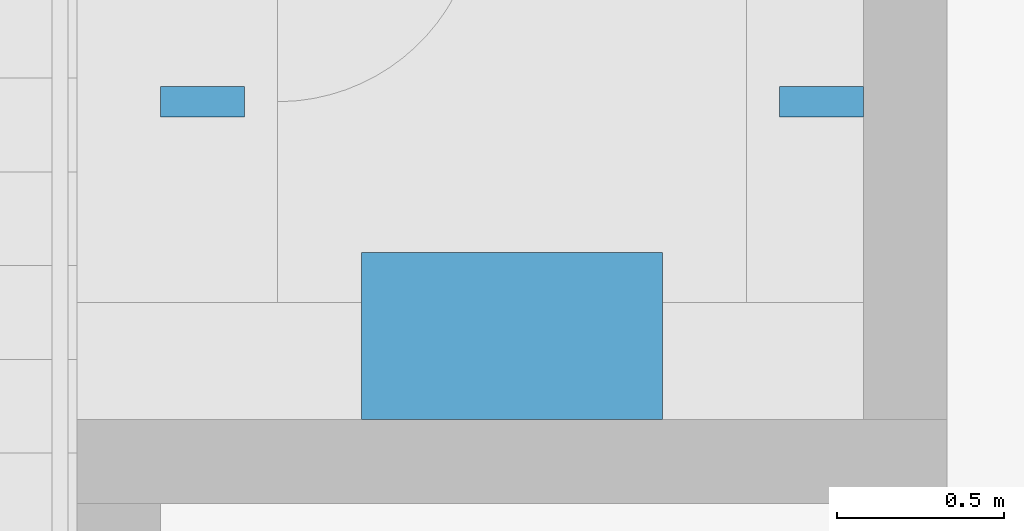
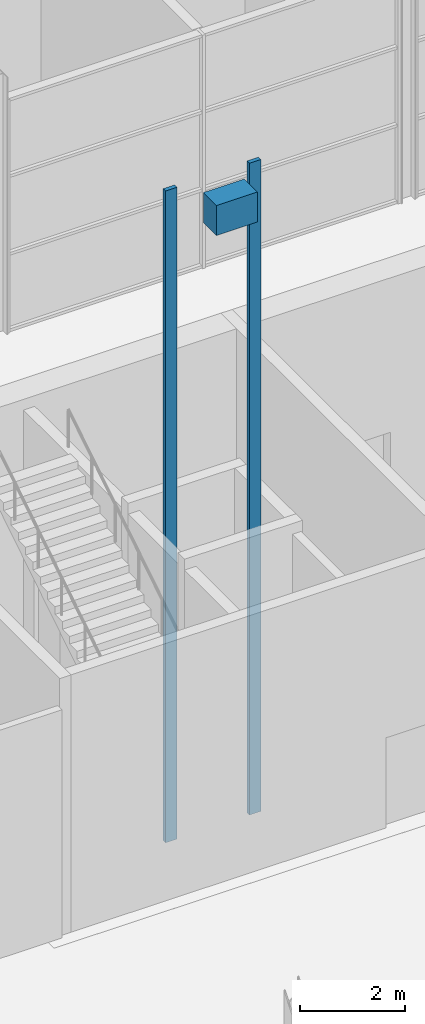
# One storey, part 88 of 97: 3 discrete accessories.
"""IFC4 building model written with IfcOpenShell, lengths in metres."""

from ifc_helpers import new_model, si_unit, direction, frame, origin, origin_2d, place, context, subcontext, project, spatial, rectangle, extrude, material, type_object, element, save


model = new_model("IFC4")

# Units and contexts
model_context = context("Model", 3, precision=1e-05, world=origin(), true_north=direction((0.0, 1.0)))
body_context = subcontext(model_context, "Body", "Model", "MODEL_VIEW")
ifc_project = project(units=[si_unit("LENGTHUNIT", "METRE"), si_unit("AREAUNIT", "SQUARE_METRE"), si_unit("VOLUMEUNIT", "CUBIC_METRE"), si_unit("PLANEANGLEUNIT", "RADIAN"), si_unit("MASSUNIT", "GRAM", prefix="KILO")], contexts=[model_context])

# Site, building, storey
site_placement = place(None, origin())
site = spatial("IfcSite", under=ifc_project, at=site_placement, CompositionType="ELEMENT")
building_placement = place(site_placement, origin())
building = spatial("IfcBuilding", under=site, at=building_placement, Name="Corbel Yard City Hall", CompositionType="ELEMENT")
storey_placement = place(building_placement, origin())
storey = spatial("IfcBuildingStorey", under=building, at=storey_placement, Name="L00", CompositionType="ELEMENT", Elevation=0.0)

# Discrete accessories
ifc_material = material(Name="Steel Grade G250", Category="steel")
discrete_accessory_type_1 = type_object("IfcDiscreteAccessoryType", Name="LM1", PredefinedType="USERDEFINED", material=ifc_material)
discrete_accessory_placement = place(storey_placement, frame((32.35009765625, 74.75, 13.10009765625), z_axis=(0.0, 0.0, 1.0), x_axis=(1.0, 0.0, 0.0)))
element("IfcDiscreteAccessory", 1, at=discrete_accessory_placement, inside=storey, type_object=discrete_accessory_type_1, Name="Lift LP13 drive machine", ObjectType="LIFT MACHINE", PredefinedType="USERDEFINED", context=body_context, shape_type="SweptSolid", body=[
    extrude(rectangle(XDim=0.89990234375, YDim=0.5, at=origin_2d()), origin(), (0.0, 0.0, 1.0), 0.699951171875),
])
discrete_accessory_type_2 = type_object("IfcDiscreteAccessoryType", Name="LR1", PredefinedType="USERDEFINED", material=ifc_material)
for number, where, z_axis, x_axis, name in (
    (2, (31.425048828125, 75.449951171875, -1.39990234375), (0.0, 0.0, 1.0), (1.0, 0.0, 0.0), "Lift LP13 guide rail 1"),
    (3, (33.27490234375, 75.449951171875, -1.39990234375), (0.0, 0.0, 1.0), (1.0, 0.0, 0.0), "Lift LP13 guide rail 2"),
):
    element("IfcDiscreteAccessory", number, at=place(storey_placement, frame(where, z_axis=z_axis, x_axis=x_axis)), inside=storey, type_object=discrete_accessory_type_2, Name=name, ObjectType="GUIDE RAIL", PredefinedType="USERDEFINED", context=body_context, shape_type="SweptSolid", body=[
        extrude(rectangle(XDim=0.25, YDim=0.090087890625, at=origin_2d()), origin(), (0.0, 0.0, 1.0), 15.199951171875),
    ])

save(model, "model.ifc")
